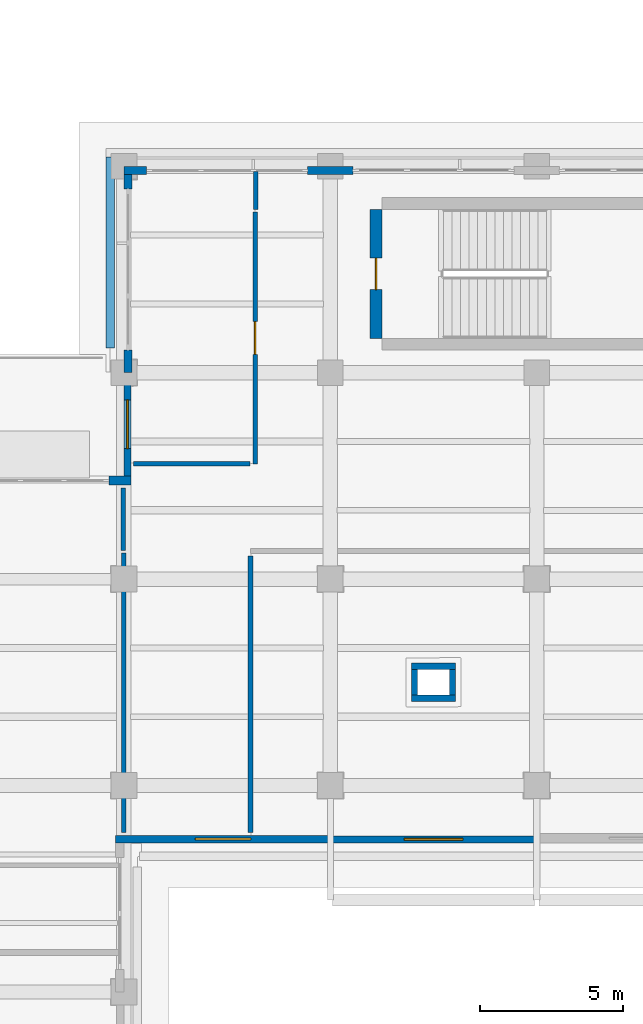
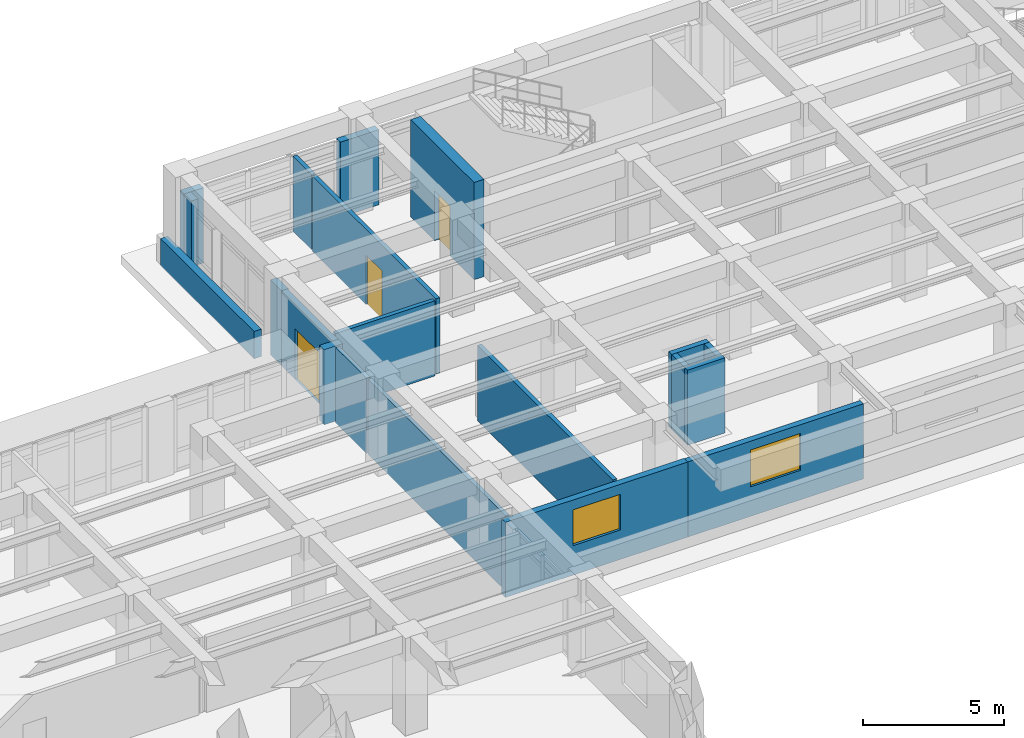
# One storey, part 51 of 69: 20 walls, 3 doors, 2 windows, 5 openings.
"""IFC4 building model written with IfcOpenShell, lengths in metres."""

from ifc_helpers import new_model, si_unit, direction, frame, frame_2d, origin, place, context, subcontext, project, spatial, rectangle, extrude, material, layer, layer_set, type_object, element, fill, save


model = new_model("IFC4")

# Units and contexts
model_context = context("Model", 3, precision=1e-05, world=origin(), true_north=direction((0.0, 1.0)))
body_context = subcontext(model_context, "Body", "Model", "MODEL_VIEW")
ifc_project = project(units=[si_unit("LENGTHUNIT", "METRE"), si_unit("AREAUNIT", "SQUARE_METRE"), si_unit("VOLUMEUNIT", "CUBIC_METRE"), si_unit("PLANEANGLEUNIT", "RADIAN"), si_unit("MASSUNIT", "GRAM", prefix="KILO")], contexts=[model_context])

# Site, building, storey
site_placement = place(None, origin())
site = spatial("IfcSite", under=ifc_project, at=site_placement, CompositionType="ELEMENT")
building_placement = place(site_placement, origin())
building = spatial("IfcBuilding", under=site, at=building_placement, Name="Solenvale Faculty of Natural Sciences", CompositionType="ELEMENT")
storey_placement = place(building_placement, frame((0.0, 0.0, 4.5)))
storey = spatial("IfcBuildingStorey", under=building, at=storey_placement, Name="L01", CompositionType="ELEMENT", Elevation=4.5)

# Walls
ifc_material_1 = material(Name="Architectural bronze concrete 40 MPa", Category="concrete")
ifc_layer_1 = layer(ifc_material_1, 0.300048828125)
ifc_layer_set_1 = layer_set([ifc_layer_1], Name="Architectural bronze concrete 40 MPa")
wall_type_1 = type_object("IfcWallType", Name="WL-EXT-BRZ-300", PredefinedType="STANDARD", material=ifc_layer_set_1)
wall_1_placement = place(storey_placement, frame((114.72998046875, 51.27001953125, 0.0), z_axis=(0.0, 0.0, 1.0), x_axis=(0.0, 1.0, 0.0)))
element("IfcWall", 1, at=wall_1_placement, inside=storey, type_object=wall_type_1, Name="L01 Sliding-Tray Rough Bronze Concrete Band 1", PredefinedType="PARAPET", context=body_context, shape_type="SweptSolid", body=[
    extrude(rectangle(XDim=6.64892578125, YDim=0.300048828125, at=frame_2d((3.324462890625, 0.0))), origin(), (0.0, 0.0, 1.0), 1.179931640625),
])
ifc_layer_2 = layer(ifc_material_1, 0.324951171875)
ifc_layer_set_2 = layer_set([ifc_layer_2], Name="Architectural bronze concrete 40 MPa")
wall_type_2 = type_object("IfcWallType", Name="WL-EXT-BRZ-325", PredefinedType="STANDARD", material=ifc_layer_set_2)
wall_2_placement = place(storey_placement, frame((115.445068359375, 46.637451171875, 0.0), z_axis=(0.0, 0.0, 1.0), x_axis=(-1.0, 0.0, 0.0)))
element("IfcWall", 2, at=wall_2_placement, inside=storey, type_object=wall_type_2, Name="L01 Facade Closure Pier 11.B1-L", PredefinedType="STANDARD", context=body_context, shape_type="SweptSolid", body=[
    extrude(rectangle(XDim=0.76318359375, YDim=0.324951171875, at=frame_2d((0.381591796875, 0.0))), origin(), (0.0, 0.0, 1.0), 3.260009765625),
])

# Wall, opening, window
ifc_material_2 = material(Name="Precast concrete 40 MPa", Category="concrete")
ifc_layer_3 = layer(ifc_material_2, 0.2451171875)
ifc_layer_set_3 = layer_set([ifc_layer_3], Name="Precast concrete 40 MPa")
wall_type_3 = type_object("IfcWallType", Name="WL-EXT-PRC-245", PredefinedType="STANDARD", material=ifc_layer_set_3)
wall_3_placement = place(storey_placement, frame((129.60009765625, 34.12255859375, 0.0), z_axis=(0.0, 0.0, 1.0), x_axis=(-1.0, 0.0, 0.0)))
wall_3 = element("IfcWall", 3, at=wall_3_placement, inside=storey, type_object=wall_type_3, Name="L01 Exterior Wall 7.2", PredefinedType="STANDARD", context=body_context, shape_type="SweptSolid", body=[
    extrude(rectangle(XDim=7.2001953125, YDim=0.2451171875, at=frame_2d((3.60009765625, 0.0))), origin(), (0.0, 0.0, 1.0), 3.260009765625),
])
opening_1_placement = place(wall_3_placement, frame((2.574951171875, 0.0, 1.280029296875)))
opening_1 = element("IfcOpeningElement", 4, at=opening_1_placement, cuts=wall_3, Name="Opening WN-25", PredefinedType="OPENING", context=body_context, shape_type="SweptSolid", body=[
    extrude(rectangle(XDim=2.050048828125, YDim=1.60009765625, at=frame_2d((1.02490234375, 0.800048828125))), frame((0.0, 0.132568359375, 0.0), z_axis=(0.0, -1.0, 0.0), x_axis=(1.0, 0.0, 0.0)), (0.0, 0.0, 1.0), 0.26513671875),
])
ifc_material_3 = material(Name="Triple low-E insulated glass", Category="glass")
window_type_1 = type_object("IfcWindowType", Name="WN-2050x1600", PartitioningType="SINGLE_PANEL", PredefinedType="WINDOW", material=ifc_material_3)
window_1_placement = place(opening_1_placement, origin())
window_1 = element("IfcWindow", 5, at=window_1_placement, inside=storey, type_object=window_type_1, Name="L01 Window 7.2", OverallHeight=1.60009765625, OverallWidth=2.050048828125, PartitioningType="SINGLE_PANEL", PredefinedType="WINDOW", context=body_context, shape_type="SweptSolid", body=[
    extrude(rectangle(XDim=2.050048828125, YDim=1.60009765625, at=frame_2d((1.02490234375, 0.800048828125))), frame((0.0, 0.030029296875, 0.0), z_axis=(0.0, -1.0, 0.0), x_axis=(1.0, 0.0, 0.0)), (0.0, 0.0, 1.0), 0.06005859375),
])
fill(opening_1, window_1)

# Wall, opening, door
wall_4_placement = place(storey_placement, frame((115.322509765625, 46.800048828125, 0.0), z_axis=(0.0, 0.0, 1.0), x_axis=(0.0, 1.0, 0.0)))
wall_4 = element("IfcWall", 6, at=wall_4_placement, inside=storey, type_object=wall_type_3, Name="L01 Exterior Wall 10.2", PredefinedType="STANDARD", context=body_context, shape_type="SweptSolid", body=[
    extrude(rectangle(XDim=3.599853515625, YDim=0.2451171875, at=frame_2d((1.7998046875, 0.0))), origin(), (0.0, 0.0, 1.0), 3.260009765625),
])
opening_2_placement = place(wall_4_placement, frame((0.949951171875, 0.0, 0.0)))
opening_2 = element("IfcOpeningElement", 7, at=opening_2_placement, cuts=wall_4, Name="Opening TD-36", PredefinedType="OPENING", context=body_context, shape_type="SweptSolid", body=[
    extrude(rectangle(XDim=1.699951171875, YDim=2.199951171875, at=frame_2d((0.85009765625, 1.10009765625))), frame((0.0, 0.132568359375, 0.0), z_axis=(0.0, -1.0, 0.0), x_axis=(1.0, 0.0, 0.0)), (0.0, 0.0, 1.0), 0.26513671875),
])
ifc_material_4 = material(Name="Anodised bronze aluminium", Category="aluminium")
door_type_1 = type_object("IfcDoorType", Name="DR-TER-1700x2200", OperationType="NOTDEFINED", PredefinedType="DOOR", material=ifc_material_4)
door_1_placement = place(opening_2_placement, origin())
door_1 = element("IfcDoor", 8, at=door_1_placement, inside=storey, type_object=door_type_1, Name="L01 Exterior Terrace Door TD-36", OperationType="DOUBLE_DOOR_SINGLE_SWING", OverallHeight=2.199951171875, OverallWidth=1.699951171875, PredefinedType="DOOR", context=body_context, shape_type="SweptSolid", body=[
    extrude(rectangle(XDim=1.699951171875, YDim=2.199951171875, at=frame_2d((0.85009765625, 1.10009765625))), frame((0.0, 0.02490234375, 0.0), z_axis=(0.0, -1.0, 0.0), x_axis=(1.0, 0.0, 0.0)), (0.0, 0.0, 1.0), 0.050048828125),
])
fill(opening_2, door_1)

# Wall, opening, window
ifc_layer_4 = layer(ifc_material_2, 0.264892578125)
ifc_layer_set_4 = layer_set([ifc_layer_4], Name="Precast concrete 40 MPa")
wall_type_4 = type_object("IfcWallType", Name="WL-EXT-PRC-265", PredefinedType="STANDARD", material=ifc_layer_set_4)
wall_5_placement = place(storey_placement, frame((122.39990234375, 34.132568359375, 0.0), z_axis=(0.0, 0.0, 1.0), x_axis=(-1.0, 0.0, 0.0)))
wall_5 = element("IfcWall", 9, at=wall_5_placement, inside=storey, type_object=wall_type_4, Name="L01 Exterior Wall 7.1", PredefinedType="STANDARD", context=body_context, shape_type="SweptSolid", body=[
    extrude(rectangle(XDim=7.48486328125, YDim=0.264892578125, at=frame_2d((3.742431640625, 0.0))), origin(), (0.0, 0.0, 1.0), 3.260009765625),
])
opening_3_placement = place(wall_5_placement, frame((2.76708984375, 0.0, 1.280029296875)))
opening_3 = element("IfcOpeningElement", 10, at=opening_3_placement, cuts=wall_5, Name="Opening WN-24", PredefinedType="OPENING", context=body_context, shape_type="SweptSolid", body=[
    extrude(rectangle(XDim=1.949951171875, YDim=1.550048828125, at=frame_2d((0.97509765625, 0.77490234375))), frame((0.0, 0.142333984375, 0.0), z_axis=(0.0, -1.0, 0.0), x_axis=(1.0, 0.0, 0.0)), (0.0, 0.0, 1.0), 0.284912109375),
])
window_type_2 = type_object("IfcWindowType", Name="WN-1950x1550", PartitioningType="SINGLE_PANEL", PredefinedType="WINDOW", material=ifc_material_3)
window_2_placement = place(opening_3_placement, origin())
window_2 = element("IfcWindow", 11, at=window_2_placement, inside=storey, type_object=window_type_2, Name="L01 Window 7.1", OverallHeight=1.550048828125, OverallWidth=1.949951171875, PartitioningType="SINGLE_PANEL", PredefinedType="WINDOW", context=body_context, shape_type="SweptSolid", body=[
    extrude(rectangle(XDim=1.949951171875, YDim=1.550048828125, at=frame_2d((0.97509765625, 0.77490234375))), frame((0.0, 0.030029296875, 0.0), z_axis=(0.0, -1.0, 0.0), x_axis=(1.0, 0.0, 0.0)), (0.0, 0.0, 1.0), 0.06005859375),
])
fill(opening_3, window_2)

# Walls
ifc_layer_5 = layer(ifc_material_2, 0.284912109375)
ifc_layer_set_5 = layer_set([ifc_layer_5], Name="Precast concrete 40 MPa")
wall_type_5 = type_object("IfcWallType", Name="WL-EXT-PRC-285", PredefinedType="STANDARD", material=ifc_layer_set_5)
wall_6_placement = place(storey_placement, frame((123.18798828125, 57.45751953125, 0.0), z_axis=(0.0, 0.0, 1.0), x_axis=(-1.0, 0.0, 0.0)))
element("IfcWall", 12, at=wall_6_placement, inside=storey, type_object=wall_type_5, Name="L01 Facade Closure Pier 9.B6-R", PredefinedType="STANDARD", context=body_context, shape_type="SweptSolid", body=[
    extrude(rectangle(XDim=1.575927734375, YDim=0.284912109375, at=frame_2d((0.7880859375, 0.0))), origin(), (0.0, 0.0, 1.0), 3.260009765625),
])
wall_7_placement = place(storey_placement, frame((115.988037109375, 57.45751953125, 0.0), z_axis=(0.0, 0.0, 1.0), x_axis=(-1.0, 0.0, 0.0)))
element("IfcWall", 13, at=wall_7_placement, inside=storey, type_object=wall_type_5, Name="L01 Facade Closure Pier 9.B7-R", PredefinedType="STANDARD", context=body_context, shape_type="SweptSolid", body=[
    extrude(rectangle(XDim=0.7880859375, YDim=0.284912109375, at=frame_2d((0.39404296875, 0.0))), origin(), (0.0, 0.0, 1.0), 3.260009765625),
])
wall_8_placement = place(storey_placement, frame((115.342529296875, 57.31494140625, 0.0), z_axis=(0.0, 0.0, 1.0), x_axis=(0.0, -1.0, 0.0)))
element("IfcWall", 14, at=wall_8_placement, inside=storey, type_object=wall_type_5, Name="L01 Facade Closure Pier 10.B1-L", PredefinedType="STANDARD", context=body_context, shape_type="SweptSolid", body=[
    extrude(rectangle(XDim=0.5029296875, YDim=0.284912109375, at=frame_2d((0.25146484375, 0.0))), origin(), (0.0, 0.0, 1.0), 3.260009765625),
])
wall_9_placement = place(storey_placement, frame((115.342529296875, 51.18798828125, 0.0), z_axis=(0.0, 0.0, 1.0), x_axis=(0.0, -1.0, 0.0)))
element("IfcWall", 15, at=wall_9_placement, inside=storey, type_object=wall_type_5, Name="L01 Facade Closure Pier 10.B1-R", PredefinedType="STANDARD", context=body_context, shape_type="SweptSolid", body=[
    extrude(rectangle(XDim=0.7880859375, YDim=0.284912109375, at=frame_2d((0.39404296875, 0.0))), origin(), (0.0, 0.0, 1.0), 3.260009765625),
])
ifc_material_5 = material(Name="Acoustic double-stud gypsum partition")
ifc_layer_6 = layer(ifc_material_5, 0.155029296875)
ifc_layer_set_6 = layer_set([ifc_layer_6], Name="Acoustic double-stud gypsum partition")
wall_type_6 = type_object("IfcWallType", Name="WL-SEM-155", PredefinedType="PARTITIONING", material=ifc_layer_set_6)
wall_10_placement = place(storey_placement, frame((115.179931640625, 46.385986328125, 0.0), z_axis=(0.0, 0.0, 1.0), x_axis=(0.0, -1.0, 0.0)))
element("IfcWall", 16, at=wall_10_placement, inside=storey, type_object=wall_type_6, Name="L01 Seminar Room Partition 20", PredefinedType="PARTITIONING", context=body_context, shape_type="SweptSolid", body=[
    extrude(rectangle(XDim=2.18603515625, YDim=0.155029296875, at=frame_2d((1.093017578125, 0.0))), origin(), (0.0, 0.0, 1.0), 3.260009765625),
])
wall_11_placement = place(storey_placement, frame((115.199951171875, 44.111083984375, 0.0), z_axis=(0.0, 0.0, 1.0), x_axis=(0.0, -1.0, 0.0)))
element("IfcWall", 17, at=wall_11_placement, inside=storey, type_object=wall_type_6, Name="L01 Seminar Room Partition 37", PredefinedType="PARTITIONING", context=body_context, shape_type="SweptSolid", body=[
    extrude(rectangle(XDim=9.756103515625, YDim=0.155029296875, at=frame_2d((4.8779296875, 0.0))), origin(), (0.0, 0.0, 1.0), 3.260009765625),
])

# Wall, opening, door
ifc_layer_7 = layer(ifc_material_5, 0.1650390625)
ifc_layer_set_7 = layer_set([ifc_layer_7], Name="Acoustic double-stud gypsum partition")
wall_type_7 = type_object("IfcWallType", Name="WL-SEM-165", PredefinedType="PARTITIONING", material=ifc_layer_set_7)
wall_12_placement = place(storey_placement, frame((119.780029296875, 56.0, 0.0), z_axis=(0.0, 0.0, 1.0), x_axis=(0.0, -1.0, 0.0)))
wall_12 = element("IfcWall", 18, at=wall_12_placement, inside=storey, type_object=wall_type_7, Name="L01 Learning Commons Partition 16", PredefinedType="PARTITIONING", context=body_context, shape_type="SweptSolid", body=[
    extrude(rectangle(XDim=8.780029296875, YDim=0.1650390625, at=frame_2d((4.39013671875, 0.0))), origin(), (0.0, 0.0, 1.0), 3.260009765625),
])
opening_4_placement = place(wall_12_placement, frame((3.81494140625, 0.0, 0.0)))
opening_4 = element("IfcOpeningElement", 19, at=opening_4_placement, cuts=wall_12, Name="Opening D-L01-16", PredefinedType="OPENING", context=body_context, shape_type="SweptSolid", body=[
    extrude(rectangle(XDim=1.14990234375, YDim=2.14990234375, at=frame_2d((0.574951171875, 1.074951171875))), frame((0.0, 0.092529296875, 0.0), z_axis=(0.0, -1.0, 0.0), x_axis=(1.0, 0.0, 0.0)), (0.0, 0.0, 1.0), 0.18505859375),
])
ifc_material_6 = material(Name="Oak acoustic timber leaf", Category="wood")
door_type_2 = type_object("IfcDoorType", Name="DR-SEM-1150x2150", OperationType="NOTDEFINED", PredefinedType="DOOR", material=ifc_material_6)
door_2_placement = place(opening_4_placement, origin())
door_2 = element("IfcDoor", 20, at=door_2_placement, inside=storey, type_object=door_type_2, Name="L01 Learning Commons Door", OperationType="SINGLE_SWING_LEFT", OverallHeight=2.14990234375, OverallWidth=1.14990234375, PredefinedType="DOOR", context=body_context, shape_type="SweptSolid", body=[
    extrude(rectangle(XDim=1.14990234375, YDim=2.14990234375, at=frame_2d((0.574951171875, 1.074951171875))), frame((0.0, 0.02490234375, 0.0), z_axis=(0.0, -1.0, 0.0), x_axis=(1.0, 0.0, 0.0)), (0.0, 0.0, 1.0), 0.050048828125),
])
fill(opening_4, door_2)

# Walls
wall_13_placement = place(storey_placement, frame((119.60302734375, 47.219970703125, 0.0), z_axis=(0.0, 0.0, 1.0), x_axis=(-1.0, 0.0, 0.0)))
element("IfcWall", 21, at=wall_13_placement, inside=storey, type_object=wall_type_7, Name="L01 Learning Commons Partition 17", PredefinedType="PARTITIONING", context=body_context, shape_type="SweptSolid", body=[
    extrude(rectangle(XDim=4.06298828125, YDim=0.1650390625, at=frame_2d((2.031494140625, 0.0))), origin(), (0.0, 0.0, 1.0), 3.260009765625),
])
wall_14_placement = place(storey_placement, frame((119.800048828125, 57.41796875, 0.0), z_axis=(0.0, 0.0, 1.0), x_axis=(0.0, -1.0, 0.0)))
element("IfcWall", 22, at=wall_14_placement, inside=storey, type_object=wall_type_7, Name="L01 Learning Commons Partition 20", PredefinedType="PARTITIONING", context=body_context, shape_type="SweptSolid", body=[
    extrude(rectangle(XDim=1.323974609375, YDim=0.1650390625, at=frame_2d((0.662109375, 0.0))), origin(), (0.0, 0.0, 1.0), 3.260009765625),
])
ifc_layer_8 = layer(ifc_material_5, 0.169921875)
ifc_layer_set_8 = layer_set([ifc_layer_8], Name="Acoustic double-stud gypsum partition")
wall_type_8 = type_object("IfcWallType", Name="WL-SEM-170", PredefinedType="PARTITIONING", material=ifc_layer_set_8)
wall_15_placement = place(storey_placement, frame((119.6201171875, 34.362060546875, 0.0), z_axis=(0.0, 0.0, 1.0), x_axis=(0.0, 1.0, 0.0)))
element("IfcWall", 23, at=wall_15_placement, inside=storey, type_object=wall_type_8, Name="L01 Learning Commons South Reading Hall Partition 4", PredefinedType="PARTITIONING", context=body_context, shape_type="SweptSolid", body=[
    extrude(rectangle(XDim=9.635986328125, YDim=0.169921875, at=frame_2d((4.81787109375, 0.0))), origin(), (0.0, 0.0, 1.0), 3.260009765625),
])
ifc_material_7 = material(Name="Concrete 40 MPa", Category="concrete")
ifc_layer_9 = layer(ifc_material_7, 0.219970703125)
ifc_layer_set_9 = layer_set([ifc_layer_9], Name="Concrete 40 MPa")
wall_type_9 = type_object("IfcWallType", Name="WL-SHF-220", PredefinedType="STANDARD", material=ifc_layer_set_9)
for number, where, z_axis, x_axis, name in (
    (24, (125.22998046875, 39.0400390625, 0.0), (0.0, 0.0, 1.0), (1.0, 0.0, 0.0), "L01 Service Riser Shaft 5 Wall S"),
    (25, (125.22998046875, 40.159912109375, 0.0), (0.0, 0.0, 1.0), (1.0, 0.0, 0.0), "L01 Service Riser Shaft 5 Wall N"),
):
    element("IfcWall", number, at=place(storey_placement, frame(where, z_axis=z_axis, x_axis=x_axis)), inside=storey, type_object=wall_type_9, Name=name, PredefinedType="STANDARD", context=body_context, shape_type="SweptSolid", body=[
        extrude(rectangle(XDim=1.5400390625, YDim=0.219970703125, at=frame_2d((0.77001953125, 0.0))), origin(), (0.0, 0.0, 1.0), 3.260009765625),
    ])
for number, where, z_axis, x_axis, name in (
    (26, (125.340087890625, 39.14990234375, 0.0), (0.0, 0.0, 1.0), (0.0, 1.0, 0.0), "L01 Service Riser Shaft 5 Wall W"),
    (27, (126.659912109375, 39.14990234375, 0.0), (0.0, 0.0, 1.0), (0.0, 1.0, 0.0), "L01 Service Riser Shaft 5 Wall E"),
):
    element("IfcWall", number, at=place(storey_placement, frame(where, z_axis=z_axis, x_axis=x_axis)), inside=storey, type_object=wall_type_9, Name=name, PredefinedType="STANDARD", context=body_context, shape_type="SweptSolid", body=[
        extrude(rectangle(XDim=0.900146484375, YDim=0.219970703125, at=frame_2d((0.4501953125, 0.0))), origin(), (0.0, 0.0, 1.0), 3.260009765625),
    ])

# Wall, opening, door
ifc_material_8 = material(Name="Concrete 50 MPa", Category="concrete")
ifc_layer_10 = layer(ifc_material_8, 0.409912109375)
ifc_layer_set_10 = layer_set([ifc_layer_10], Name="Concrete 50 MPa")
wall_type_10 = type_object("IfcWallType", Name="WL-SHR-410", PredefinedType="SHEAR", material=ifc_layer_set_10)
wall_16_placement = place(storey_placement, frame((123.9951171875, 51.60009765625, 0.0), z_axis=(0.0, 0.0, 1.0), x_axis=(0.0, 1.0, 0.0)))
wall_16 = element("IfcWall", 28, at=wall_16_placement, inside=storey, type_object=wall_type_10, Name="Core C2B L01 Shear Wall W", PredefinedType="SHEAR", context=body_context, shape_type="SweptSolid", body=[
    extrude(rectangle(XDim=4.5, YDim=0.409912109375, at=frame_2d((2.25, 0.0))), origin(), (0.0, 0.0, 1.0), 4.219970703125),
])
opening_5_placement = place(wall_16_placement, frame((1.699951171875, 0.0, 0.0)))
opening_5 = element("IfcOpeningElement", 29, at=opening_5_placement, cuts=wall_16, Name="Opening DS-C2B-L01", PredefinedType="OPENING", context=body_context, shape_type="SweptSolid", body=[
    extrude(rectangle(XDim=1.10009765625, YDim=2.14990234375, at=frame_2d((0.550048828125, 1.074951171875))), frame((0.0, 0.21484375, 0.0), z_axis=(0.0, -1.0, 0.0), x_axis=(1.0, 0.0, 0.0)), (0.0, 0.0, 1.0), 0.429931640625),
])
ifc_material_9 = material(Name="Galvanised steel S355", Category="steel")
door_type_3 = type_object("IfcDoorType", Name="DR-STAIR-1100x2150", OperationType="NOTDEFINED", PredefinedType="DOOR", material=ifc_material_9)
door_3_placement = place(opening_5_placement, origin())
door_3 = element("IfcDoor", 30, at=door_3_placement, inside=storey, type_object=door_type_3, Name="L01 Stair ST-08 Fire Door", OperationType="SINGLE_SWING_LEFT", OverallHeight=2.14990234375, OverallWidth=1.10009765625, PredefinedType="DOOR", context=body_context, shape_type="SweptSolid", body=[
    extrude(rectangle(XDim=1.10009765625, YDim=2.14990234375, at=frame_2d((0.550048828125, 1.074951171875))), frame((0.0, 0.02490234375, 0.0), z_axis=(0.0, -1.0, 0.0), x_axis=(1.0, 0.0, 0.0)), (0.0, 0.0, 1.0), 0.050048828125),
])
fill(opening_5, door_3)

save(model, "model.ifc")
